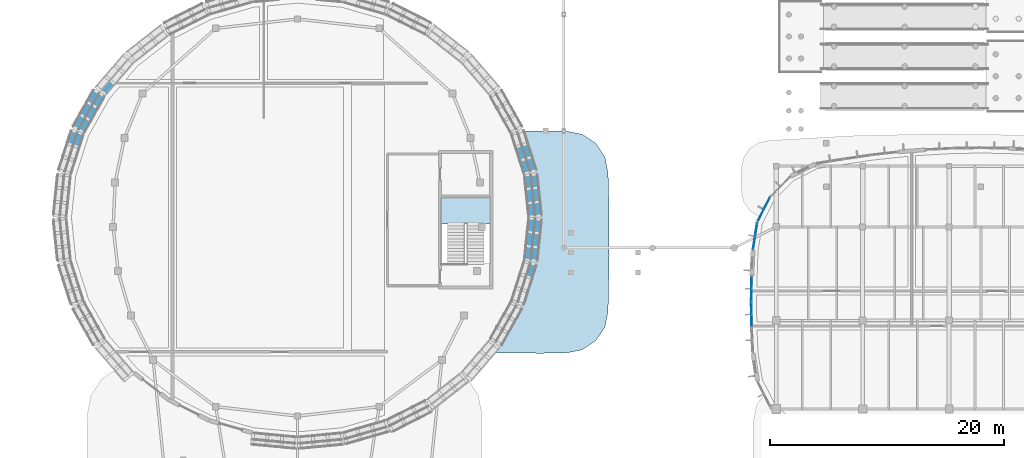
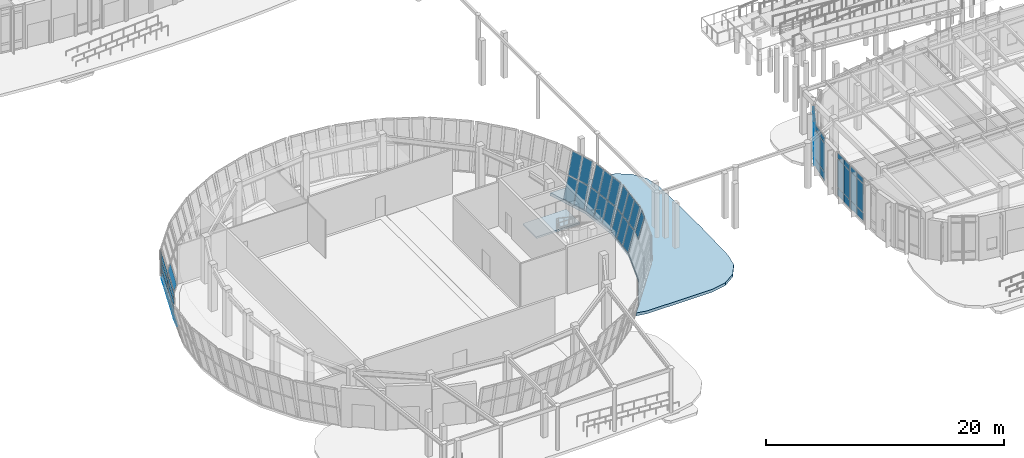
# One storey, part 68 of 120: 50 plates, 2 slabs, 12 elements without a shape of their own.
"""IFC4 building model written with IfcOpenShell, lengths in metres."""

import ifcopenshell
import ifcopenshell.guid

model = None  # the IFC model being written
_history = None  # IfcOwnerHistory: only IFC2X3 demands one
_inside = {}  # id of a spatial element -> (the spatial element, [elements in it])
_under = {}  # id of a project, library or spatial element -> (it, [spatial elements below it])
_declared = {}  # id of a project -> (the project, [libraries it declares])
_typed = {}  # id of a type object -> (the type object, [elements of that type])
_made_of = {}  # id of a material, layer set ... -> (it, [elements and type objects made of it])


def new_model(schema):
    """Start an empty IFC model of exactly this schema.

    Asked for "IFC4X3", IfcOpenShell would pick the latest addendum, in which some entities
    have other attributes; the version numbers below select the first issue.
    IFC2X3 requires an IfcOwnerHistory on every rooted entity: one is made here for all.
    """
    global model, _history
    if schema == "IFC4X3":
        model = ifcopenshell.file(schema_version=(4, 3, 0, 0))
    else:
        model = ifcopenshell.file(schema=schema)
    _inside.clear()
    _under.clear()
    _declared.clear()
    _typed.clear()
    _made_of.clear()
    _history = None
    if model.schema == "IFC2X3":
        org = make("IfcOrganization", Name="unknown")
        user = make(
            "IfcPersonAndOrganization",
            ThePerson=make("IfcPerson", FamilyName="unknown"),
            TheOrganization=org,
        )
        app = make(
            "IfcApplication",
            ApplicationDeveloper=org,
            Version="unknown",
            ApplicationFullName="unknown",
            ApplicationIdentifier="unknown",
        )
        _history = make(
            "IfcOwnerHistory",
            OwningUser=user,
            OwningApplication=app,
            ChangeAction="ADDED",
            CreationDate=0,
        )
    return model


def make(cls, **values):
    """One entity of the class cls with the attributes given. An attribute that is None is left unset."""
    return model.create_entity(
        cls, **{name: value for name, value in values.items() if value is not None}
    )


def rooted(cls, **values):
    """An entity with a GlobalId (a new one), such as an element, a storey or a relation."""
    return make(cls, GlobalId=ifcopenshell.guid.new(), OwnerHistory=_history, **values)


def si_unit(unit_type, name, prefix=None):
    """IfcSIUnit, for example si_unit("LENGTHUNIT", "METRE", prefix="MILLI")."""
    return make("IfcSIUnit", UnitType=unit_type, Prefix=prefix, Name=name)


def assignment(units):
    """IfcUnitAssignment: the units of a project."""
    return None if units is None else make("IfcUnitAssignment", Units=units)


def point(xyz):
    """IfcCartesianPoint."""
    return None if xyz is None else make("IfcCartesianPoint", Coordinates=xyz)


def direction(xyz):
    """IfcDirection."""
    return None if xyz is None else make("IfcDirection", DirectionRatios=xyz)


def frame(location, z_axis=None, x_axis=None):
    """IfcAxis2Placement3D, a coordinate frame: its origin and axes. An axis left out is left unset."""
    return make(
        "IfcAxis2Placement3D",
        Location=point(location),
        Axis=direction(z_axis),
        RefDirection=direction(x_axis),
    )


def frame_2d(location, x_axis=None):
    """IfcAxis2Placement2D, a coordinate frame in the plane: its origin and x axis."""
    return make(
        "IfcAxis2Placement2D", Location=point(location), RefDirection=direction(x_axis)
    )


def origin():
    """The frame at (0, 0, 0) with its axes left unset."""
    return frame((0.0, 0.0, 0.0))


def origin_2d():
    """The frame at (0, 0) in the plane with its x axis left unset."""
    return frame_2d((0.0, 0.0))


def place(relative_to, where):
    """IfcLocalPlacement: puts the frame where relative to a parent placement (None: the world)."""
    return make(
        "IfcLocalPlacement", PlacementRelTo=relative_to, RelativePlacement=where
    )


def context(
    kind, dimensions, precision=None, world=None, true_north=None, identifier=None
):
    """IfcGeometricRepresentationContext, for example the 3D "Model" context."""
    return make(
        "IfcGeometricRepresentationContext",
        ContextIdentifier=identifier,
        ContextType=kind,
        CoordinateSpaceDimension=dimensions,
        Precision=precision,
        WorldCoordinateSystem=world,
        TrueNorth=true_north,
    )


def subcontext(parent, identifier, kind, view, scale=None):
    """IfcGeometricRepresentationSubContext, for example "Body" below "Model"."""
    return make(
        "IfcGeometricRepresentationSubContext",
        ContextIdentifier=identifier,
        ContextType=kind,
        ParentContext=parent,
        TargetScale=scale,
        TargetView=view,
    )


def project(units=None, contexts=None):
    """IfcProject with its units and contexts."""
    return rooted(
        "IfcProject",
        Name="project",
        RepresentationContexts=contexts,
        UnitsInContext=assignment(units),
    )


def spatial(cls, under=None, at=None, **own):
    """A site, building, storey or space (cls), placed at a placement, below another one or the project."""
    s = rooted(cls, ObjectPlacement=at, **own)
    if under is not None:
        _under.setdefault(under.id(), (under, []))[1].append(s)
    return s


def polyline(points):
    """IfcPolyline through the points."""
    return make("IfcPolyline", Points=[point(p) for p in points])


def profile(cls, at=None, kind="AREA", **sizes):
    """A parametric profile (cls). Its sizes go by their IFC names, for example OverallWidth=200.0."""
    return make(cls, ProfileType=kind, Position=at, **sizes)


def rectangle(**sizes):
    """IfcRectangleProfileDef."""
    return profile("IfcRectangleProfileDef", **sizes)


def outline(outer, holes=None, kind="AREA"):
    """IfcArbitraryClosedProfileDef: a profile drawn as a closed curve; with holes, ...WithVoids."""
    if holes is None:
        return make("IfcArbitraryClosedProfileDef", ProfileType=kind, OuterCurve=outer)
    return make(
        "IfcArbitraryProfileDefWithVoids",
        ProfileType=kind,
        OuterCurve=outer,
        InnerCurves=holes,
    )


def extrude(swept, where, along, depth):
    """IfcExtrudedAreaSolid: the profile swept, set in the frame where, extruded along a direction by depth."""
    return make(
        "IfcExtrudedAreaSolid",
        SweptArea=swept,
        Position=where,
        ExtrudedDirection=direction(along),
        Depth=depth,
    )


def shape(context_of_items, identifier, shape_type, items):
    """IfcShapeRepresentation: the items that make up one representation, for example the "Body"."""
    return make(
        "IfcShapeRepresentation",
        ContextOfItems=context_of_items,
        RepresentationIdentifier=identifier,
        RepresentationType=shape_type,
        Items=items,
    )


def material(Name=None, Category=None):
    """IfcMaterial."""
    return make("IfcMaterial", Name=Name, Category=Category)


def layer(
    of_material, thickness, ventilated=None, Name=None, Category=None, Priority=None
):
    """IfcMaterialLayer: one layer of a wall or slab, of a material (None: an air gap)."""
    return make(
        "IfcMaterialLayer",
        Material=of_material,
        LayerThickness=thickness,
        IsVentilated=ventilated,
        Name=Name,
        Category=Category,
        Priority=Priority,
    )


def layer_set(layers, Name=None):
    """IfcMaterialLayerSet."""
    return make("IfcMaterialLayerSet", MaterialLayers=layers, LayerSetName=Name)


def made_of(thing, what):
    """Note that an element or type object is made of a material, layer set ...; save() writes the relation."""
    if what is not None:
        _made_of.setdefault(what.id(), (what, []))[1].append(thing)
    return thing


def type_object(cls, material=None, **own):
    """A type object (cls), such as IfcWallType, which elements share."""
    return made_of(rooted(cls, **own), material)


def element(
    cls,
    number,
    at=None,
    inside=None,
    cuts=None,
    type_object=None,
    material=None,
    context=None,
    identifier="Body",
    shape_type=None,
    held_by="IfcProductDefinitionShape",
    body=None,
    shapes=None,
    **own,
):
    """One element of the class cls, such as IfcWall. Its Tag is "e" and its number.

    at: its placement. inside: the storey or other place that contains it. cuts: it is an
    opening in that element (IfcRelVoidsElement). A single representation is given by context,
    identifier, shape_type and body (its items); several are given by shapes. held_by: the class
    of the entity that holds the representations. save() writes the other relations.
    """
    e = rooted(cls, Tag="e%d" % number, ObjectPlacement=at, **own)
    if body is not None:
        shapes = [shape(context, identifier, shape_type, body)]
    if shapes is not None:
        e.Representation = make(held_by, Representations=shapes)
    if inside is not None:
        _inside.setdefault(inside.id(), (inside, []))[1].append(e)
    if cuts is not None:
        rooted(
            "IfcRelVoidsElement", RelatingBuildingElement=cuts, RelatedOpeningElement=e
        )
    if type_object is not None:
        _typed.setdefault(type_object.id(), (type_object, []))[1].append(e)
    return made_of(e, material)


def aggregate(whole, parts):
    """IfcRelAggregates: a whole, such as a stair, and the parts it consists of."""
    return rooted("IfcRelAggregates", RelatingObject=whole, RelatedObjects=parts)


def save(model, path):
    """Write the relations noted so far, then the file.

    IfcRelAggregates (storeys below a building ...), IfcRelContainedInSpatialStructure (elements
    in a storey), IfcRelDefinesByType, IfcRelAssociatesMaterial and IfcRelDeclares: one each for
    every whole, place, type object, material and project.
    """
    for whole, parts in _under.values():
        aggregate(whole, parts)
    for where, things in _inside.values():
        rooted(
            "IfcRelContainedInSpatialStructure",
            RelatedElements=things,
            RelatingStructure=where,
        )
    for kind, things in _typed.values():
        rooted("IfcRelDefinesByType", RelatedObjects=things, RelatingType=kind)
    for what, things in _made_of.values():
        rooted("IfcRelAssociatesMaterial", RelatedObjects=things, RelatingMaterial=what)
    for by, libraries in _declared.values():
        rooted("IfcRelDeclares", RelatingContext=by, RelatedDefinitions=libraries)
    model.write(path)


model = new_model("IFC4")

# Units and contexts
model_context = context("Model", 3, precision=1e-05, world=origin(), true_north=direction((0.0, 1.0)))
body_context = subcontext(model_context, "Body", "Model", "MODEL_VIEW")
ifc_project = project(units=[si_unit("LENGTHUNIT", "METRE"), si_unit("AREAUNIT", "SQUARE_METRE"), si_unit("VOLUMEUNIT", "CUBIC_METRE"), si_unit("PLANEANGLEUNIT", "RADIAN"), si_unit("MASSUNIT", "GRAM", prefix="KILO")], contexts=[model_context])

# Site, building, storey
site_placement = place(None, origin())
site = spatial("IfcSite", under=ifc_project, at=site_placement, CompositionType="ELEMENT")
building_placement = place(site_placement, origin())
building = spatial("IfcBuilding", under=site, at=building_placement, Name="Corveleigh Park Community Centre", CompositionType="ELEMENT")
storey_placement = place(building_placement, origin())
storey = spatial("IfcBuildingStorey", under=building, at=storey_placement, Name="L00", CompositionType="ELEMENT", Elevation=0.0)

# Curtain wall, plates
ifc_material_1 = material(Name="Anodised aluminium 6063-T6", Category="aluminium")
curtain_wall_type_1 = type_object("IfcCurtainWallType", Name="CW-SYS-V1-L00", PredefinedType="NOTDEFINED", material=ifc_material_1)
curtain_wall_1_placement = place(storey_placement, origin())
curtain_wall_1 = element("IfcCurtainWall", 1, at=curtain_wall_1_placement, inside=storey, type_object=curtain_wall_type_1, Name="Main Hall Flared Drum CW 1", PredefinedType="NOTDEFINED")
ifc_material_2 = material(Name="Low-E double glazing", Category="glass")
ifc_layer_1 = layer(ifc_material_2, 0.028076171875, Name="Low-E double glazing", Category="glass")
ifc_layer_set_1 = layer_set([ifc_layer_1], Name="Low-E double glazing")
plate_type_1 = type_object("IfcPlateType", Name="CWP-GLZ-28", PredefinedType="CURTAIN_PANEL", material=ifc_layer_set_1)
plate_1_placement = place(storey_placement, frame((50.807373046875, 27.70849609375, 0.074951171875), z_axis=(-0.965147534385, -0.099880284773, 0.241897014417), x_axis=(-0.102937324698, 0.994687844092, 0.0)))
plate_1 = element("IfcPlate", 2, at=plate_1_placement, type_object=plate_type_1, Name="CW01 panel 1.1", PredefinedType="CURTAIN_PANEL", context=body_context, shape_type="SweptSolid", body=[
    extrude(outline(polyline([(0.0, 0.0), (1.0910006436399386, 0.0), (1.0910806809938163, -2.202872226533213), (8.003735387782096e-05, -2.202872226533213), (0.0, 0.0)])), origin(), (0.0, 0.0, -1.0), 0.028076171875),
])
plate_2_placement = place(storey_placement, frame((51.356201171875, 27.765380859375, 2.28759765625), z_axis=(-0.965152076883, -0.099880754863, 0.241878695415), x_axis=(-0.102937324698, 0.994687844092, 0.0)))
plate_2 = element("IfcPlate", 3, at=plate_2_placement, type_object=plate_type_1, Name="CW01 panel 1.2", PredefinedType="CURTAIN_PANEL", context=body_context, shape_type="SweptSolid", body=[
    extrude(outline(polyline([(0.0, 0.0), (1.0910006436399386, 0.0), (1.091021950512302, -2.2151908399687263), (2.1306872363381635e-05, -2.2151908399687263), (0.0, 0.0)])), origin(), (0.0, 0.0, -1.0), 0.028076171875),
])
plate_3_placement = place(storey_placement, frame((50.686767578125, 28.873291015625, 0.074951171875), z_axis=(-0.965121412, -0.099894306938, 0.241995428758), x_axis=(-0.102953732741, 0.994686145931, 2.608541e-06)))
plate_3 = element("IfcPlate", 4, at=plate_3_placement, type_object=plate_type_1, Name="CW01 panel 2.1", PredefinedType="CURTAIN_PANEL", context=body_context, shape_type="SweptSolid", body=[
    extrude(outline(polyline([(0.0, 0.0), (1.1312542424598007, 3.469446951953614e-18), (1.1310630869313334, -2.202924900362015), (5.168776887919163e-05, -2.202930982348133), (0.0, 0.0)])), origin(), (0.0, 0.0, -1.0), 0.028076171875),
])
plate_4_placement = place(storey_placement, frame((51.235595703125, 28.93017578125, 2.28759765625), z_axis=(-0.96514925401, -0.099908028247, 0.24187869558), x_axis=(-0.102965432712, 0.994684934875, 0.0)))
plate_4 = element("IfcPlate", 5, at=plate_4_placement, type_object=plate_type_1, Name="CW01 panel 2.2", PredefinedType="CURTAIN_PANEL", context=body_context, shape_type="SweptSolid", body=[
    extrude(outline(polyline([(0.0, 0.0), (1.1310113992445434, 0.0), (1.131017565180133, -2.2151908400626152), (6.165935589490798e-06, -2.2151908400626152), (0.0, 0.0)])), origin(), (0.0, 0.0, -1.0), 0.028076171875),
])
plate_5_placement = place(storey_placement, frame((50.562255859375, 30.078125, 0.074951171875), z_axis=(-0.96515001624, -0.09986930772, 0.241891644185), x_axis=(-0.102926539909, 0.994688960115, -2.70295e-06)))
plate_5 = element("IfcPlate", 6, at=plate_5_placement, type_object=plate_type_1, Name="CW01 panel 3.1", PredefinedType="CURTAIN_PANEL", context=body_context, shape_type="SweptSolid", body=[
    extrude(outline(polyline([(0.0, 0.0), (1.0910006435718256, -6.938893903907228e-18), (1.091080681061934, -2.2028722264994736), (-0.0001628064942945682, -2.2028661474763482), (0.0, 0.0)])), origin(), (0.0, 0.0, -1.0), 0.028076171875),
])
plate_6_placement = place(storey_placement, frame((51.11083984375, 30.134765625, 2.28759765625), z_axis=(-0.965128779744, -0.099855879146, 0.241981904095), x_axis=(-0.102914417151, 0.99469021446, 0.0)))
plate_6 = element("IfcPlate", 7, at=plate_6_placement, type_object=plate_type_1, Name="CW01 panel 3.2", PredefinedType="CURTAIN_PANEL", context=body_context, shape_type="SweptSolid", body=[
    extrude(outline(polyline([(0.0, 0.0), (1.091243487641259, 3.469446951953614e-18), (1.091252008493562, -2.2152495912078316), (8.52085230314992e-06, -2.2152495912078316), (0.0, 0.0)])), origin(), (0.0, 0.0, -1.0), 0.028076171875),
])
aggregate(curtain_wall_1, [plate_1, plate_2, plate_3, plate_4, plate_5, plate_6])

curtain_wall_2_placement = place(storey_placement, origin())
curtain_wall_2 = element("IfcCurtainWall", 8, at=curtain_wall_2_placement, inside=storey, type_object=curtain_wall_type_1, Name="Main Hall Flared Drum CW 2", PredefinedType="NOTDEFINED")
plate_7_placement = place(storey_placement, frame((50.405517578125, 31.3759765625, 0.074951171875), z_axis=(-0.9242321555, -0.295434433899, 0.241895469173), x_axis=(-0.3044785768, 0.952519184167, -7.959586e-06)))
plate_7 = element("IfcPlate", 9, at=plate_7_placement, type_object=plate_type_1, Name="CW01 panel 1.1", PredefinedType="CURTAIN_PANEL", context=body_context, shape_type="SweptSolid", body=[
    extrude(outline(polyline([(0.0, 0.0), (1.09599468896104, 0.0), (1.0960788222939768, -2.2028803433789186), (-0.0001484152960102378, -2.202862360140468), (0.0, 0.0)])), origin(), (0.0, 0.0, -1.0), 0.028076171875),
])
plate_8_placement = place(storey_placement, frame((50.930908203125, 31.5439453125, 2.28759765625), z_axis=(-0.924221498211, -0.295431027255, 0.241940344671), x_axis=(-0.304478577502, 0.952519183943, -7.96097e-06)))
plate_8 = element("IfcPlate", 10, at=plate_8_placement, type_object=plate_type_1, Name="CW01 panel 1.2", PredefinedType="CURTAIN_PANEL", context=body_context, shape_type="SweptSolid", body=[
    extrude(outline(polyline([(0.0, 0.0), (1.0959946889610537, 0.0), (1.096116891138423, -2.2152349234612396), (-0.00011034645152312231, -2.2152169368866095), (0.0, 0.0)])), origin(), (0.0, 0.0, -1.0), 0.028076171875),
])
plate_9_placement = place(storey_placement, frame((50.04736328125, 32.49609375, 0.074951171875), z_axis=(-0.924224052643, -0.295459781747, 0.241895468923), x_axis=(-0.304500987016, 0.952512020316, 7.678442e-06)))
plate_9 = element("IfcPlate", 11, at=plate_9_placement, type_object=plate_type_1, Name="CW01 panel 2.1", PredefinedType="CURTAIN_PANEL", context=body_context, shape_type="SweptSolid", body=[
    extrude(outline(polyline([(0.0, 0.0), (1.1362216027012917, 0.0), (1.1360940768821328, -2.2028623614487755), (0.0001050210608015782, -2.202880342482086), (0.0, 0.0)])), origin(), (0.0, 0.0, -1.0), 0.028076171875),
])
plate_10_placement = place(storey_placement, frame((50.57275390625, 32.6640625, 2.28759765625), z_axis=(-0.924213395342, -0.295456374777, 0.241940344866), x_axis=(-0.30450098634, 0.952512020533, 7.679778e-06)))
plate_10 = element("IfcPlate", 12, at=plate_10_placement, type_object=plate_type_1, Name="CW01 panel 2.2", PredefinedType="CURTAIN_PANEL", context=body_context, shape_type="SweptSolid", body=[
    extrude(outline(polyline([(0.0, 0.0), (1.1362216027013048, -1.3877787807814457e-17), (1.136132266775089, -2.2152169378335165), (0.00014321095379721277, -2.215234922202631), (0.0, 0.0)])), origin(), (0.0, 0.0, -1.0), 0.028076171875),
])
aggregate(curtain_wall_2, [plate_7, plate_8, plate_9, plate_10])

# Curtain wall, plate
curtain_wall_3_placement = place(storey_placement, origin())
curtain_wall_3 = element("IfcCurtainWall", 13, at=curtain_wall_3_placement, inside=storey, type_object=curtain_wall_type_1, Name="Main Hall Flared Drum CW 13", PredefinedType="NOTDEFINED")
plate_11_placement = place(storey_placement, frame((15.322998046875, 38.9833984375, 0.074951171875), z_axis=(0.734100043331, -0.634482020993, 0.241929104115), x_axis=(-0.653900207436, -0.756580806925, -3.6162699e-05)))
plate_11 = element("IfcPlate", 14, at=plate_11_placement, type_object=plate_type_1, Name="CW01 panel 3.1", PredefinedType="CURTAIN_PANEL", context=body_context, shape_type="SweptSolid", body=[
    extrude(outline(polyline([(0.0, 0.0), (1.1176560634874142, 0.0), (1.1175411088889406, -2.2029320424043686), (-8.988609273893941e-05, -2.20284873361391), (0.0, 0.0)])), origin(), (0.0, 0.0, -1.0), 0.028076171875),
])
aggregate(curtain_wall_3, [plate_11])

# Curtain wall, plates
curtain_wall_4_placement = place(storey_placement, origin())
curtain_wall_4 = element("IfcCurtainWall", 15, at=curtain_wall_4_placement, inside=storey, type_object=curtain_wall_type_1, Name="Main Hall Flared Drum CW 14", PredefinedType="NOTDEFINED")
plate_12_placement = place(storey_placement, frame((14.468505859375, 37.96142578125, 0.074951171875), z_axis=(0.845588652171, -0.475864519518, 0.241935508726), x_axis=(-0.490441843629, -0.871473922027, 3.5291821e-05)))
plate_12 = element("IfcPlate", 16, at=plate_12_placement, type_object=plate_type_1, Name="CW01 panel 1.1", PredefinedType="CURTAIN_PANEL", context=body_context, shape_type="SweptSolid", body=[
    extrude(outline(polyline([(0.0, 0.0), (1.10582747724177, -1.3877787807814457e-17), (1.1059867228250746, -2.202853789957711), (6.62201735395708e-05, -2.2029342364498605), (0.0, 0.0)])), origin(), (0.0, 0.0, -1.0), 0.028076171875),
])
plate_13_placement = place(storey_placement, frame((13.98779296875, 38.23193359375, 2.28759765625), z_axis=(0.845514383224, -0.475990108823, 0.241948019345), x_axis=(-0.490565186833, -0.871404497043, 0.0)))
plate_13 = element("IfcPlate", 17, at=plate_13_placement, type_object=plate_type_1, Name="CW01 panel 1.2", PredefinedType="CURTAIN_PANEL", context=body_context, shape_type="SweptSolid", body=[
    extrude(outline(polyline([(0.0, 0.0), (1.1058274890071589, 1.3877787807814457e-17), (1.105814930192723, -2.21523029913387), (-1.255881443598672e-05, -2.21523029913387), (0.0, 0.0)])), origin(), (0.0, 0.0, -1.0), 0.028076171875),
])
plate_14_placement = place(storey_placement, frame((13.88671875, 36.927978515625, 0.074951171875), z_axis=(0.845542253451, -0.47594695968, 0.241935506285), x_axis=(-0.49051706919, -0.871431583512, -9.526105e-06)))
plate_14 = element("IfcPlate", 18, at=plate_14_placement, type_object=plate_type_1, Name="CW01 panel 2.1", PredefinedType="CURTAIN_PANEL", context=body_context, shape_type="SweptSolid", body=[
    extrude(outline(polyline([(0.0, 0.0), (1.1458314135351817, -2.7755575615628914e-17), (1.1460606096431667, -2.2029052663285804), (-0.00010331088730366698, -2.202882764049645), (0.0, 0.0)])), origin(), (0.0, 0.0, -1.0), 0.028076171875),
])
plate_15_placement = place(storey_placement, frame((13.406005859375, 37.198486328125, 2.28759765625), z_axis=(0.845558848019, -0.475911116905, 0.241948017852), x_axis=(-0.490483775951, -0.871450323041, 0.0)))
plate_15 = element("IfcPlate", 19, at=plate_15_placement, type_object=plate_type_1, Name="CW01 panel 2.2", PredefinedType="CURTAIN_PANEL", context=body_context, shape_type="SweptSolid", body=[
    extrude(outline(polyline([(0.0, 0.0), (1.1458314144234052, -1.3877787807814457e-17), (1.1457687839252304, -2.2152302982841046), (-6.26304981747039e-05, -2.2152302982841046), (0.0, 0.0)])), origin(), (0.0, 0.0, -1.0), 0.028076171875),
])
plate_16_placement = place(storey_placement, frame((13.285400390625, 35.859619140625, 0.074951171875), z_axis=(0.845552752123, -0.475951416141, 0.241890042892), x_axis=(-0.490520762657, -0.871429504459, 1.2708763e-05)))
plate_16 = element("IfcPlate", 20, at=plate_16_placement, type_object=plate_type_1, Name="CW01 panel 3.1", PredefinedType="CURTAIN_PANEL", context=body_context, shape_type="SweptSolid", body=[
    extrude(outline(polyline([(0.0, 0.0), (1.1058274874809009, -1.3877787807814457e-17), (1.1059867125844691, -2.2028537950992115), (-5.352624029371165e-05, -2.202882765517729), (0.0, 0.0)])), origin(), (0.0, 0.0, -1.0), 0.028076171875),
])
plate_17_placement = place(storey_placement, frame((12.8046875, 36.130126953125, 2.28759765625), z_axis=(0.845514383224, -0.475990108823, 0.241948019345), x_axis=(-0.490565186833, -0.871404497043, 0.0)))
plate_17 = element("IfcPlate", 21, at=plate_17_placement, type_object=plate_type_1, Name="CW01 panel 3.2", PredefinedType="CURTAIN_PANEL", context=body_context, shape_type="SweptSolid", body=[
    extrude(outline(polyline([(0.0, 0.0), (1.1058274890071589, 1.3877787807814457e-17), (1.105814930192723, -2.21523029913387), (-1.255881443598672e-05, -2.21523029913387), (0.0, 0.0)])), origin(), (0.0, 0.0, -1.0), 0.028076171875),
])
aggregate(curtain_wall_4, [plate_12, plate_13, plate_14, plate_15, plate_16, plate_17])

curtain_wall_5_placement = place(storey_placement, origin())
curtain_wall_5 = element("IfcCurtainWall", 22, at=curtain_wall_5_placement, inside=storey, type_object=curtain_wall_type_1, Name="Main Hall Flared Drum CW 15", PredefinedType="NOTDEFINED")
plate_18_placement = place(storey_placement, frame((12.65673828125, 34.698486328125, 0.074951171875), z_axis=(0.9242321555, -0.295434433899, 0.241895469173), x_axis=(-0.3044785768, -0.952519184167, 7.959586e-06)))
plate_18 = element("IfcPlate", 23, at=plate_18_placement, type_object=plate_type_1, Name="CW01 panel 1.1", PredefinedType="CURTAIN_PANEL", context=body_context, shape_type="SweptSolid", body=[
    extrude(outline(polyline([(0.0, 0.0), (1.09599468896104, 0.0), (1.0961431042570502, -2.202862360140468), (-8.413333293679463e-05, -2.2028803433789186), (0.0, 0.0)])), origin(), (0.0, 0.0, -1.0), 0.028076171875),
])
plate_19_placement = place(storey_placement, frame((12.13134765625, 34.866455078125, 2.28759765625), z_axis=(0.924221498211, -0.295431027255, 0.241940344671), x_axis=(-0.304478577502, -0.952519183943, 7.96097e-06)))
plate_19 = element("IfcPlate", 24, at=plate_19_placement, type_object=plate_type_1, Name="CW01 panel 1.2", PredefinedType="CURTAIN_PANEL", context=body_context, shape_type="SweptSolid", body=[
    extrude(outline(polyline([(0.0, 0.0), (1.0959946889610537, 0.0), (1.096105035412577, -2.2152169368866095), (-0.00012220217736917614, -2.2152349234612396), (0.0, 0.0)])), origin(), (0.0, 0.0, -1.0), 0.028076171875),
])
aggregate(curtain_wall_5, [plate_18, plate_19])

# Curtain wall, plate
curtain_wall_6_placement = place(storey_placement, origin())
curtain_wall_6 = element("IfcCurtainWall", 25, at=curtain_wall_6_placement, inside=storey, type_object=curtain_wall_type_1, Name="Main Hall Flared Drum CW 28", PredefinedType="NOTDEFINED")
plate_20_placement = place(storey_placement, frame((50.59716796875, 22.612060546875, 2.28759765625), z_axis=(-0.92421523089, 0.295463568902, 0.241924547003), x_axis=(0.304508988552, 0.952509462363, 0.0)))
plate_20 = element("IfcPlate", 26, at=plate_20_placement, type_object=plate_type_1, Name="CW01 panel 3.2", PredefinedType="CURTAIN_PANEL", context=body_context, shape_type="SweptSolid", body=[
    extrude(outline(polyline([(0.0, 0.0), (1.0959946895543804, -1.3877787807814457e-17), (1.0961050348191905, -2.2152169371802213), (0.00011034526481001894, -2.2152169371802213), (0.0, 0.0)])), origin(), (0.0, 0.0, -1.0), 0.028076171875),
])
aggregate(curtain_wall_6, [plate_20])

# Curtain wall, plates
curtain_wall_7_placement = place(storey_placement, origin())
curtain_wall_7 = element("IfcCurtainWall", 27, at=curtain_wall_7_placement, inside=storey, type_object=curtain_wall_type_1, Name="Main Hall Flared Drum CW 29", PredefinedType="NOTDEFINED")
plate_21_placement = place(storey_placement, frame((50.449951171875, 24.03662109375, 0.074951171875), z_axis=(-0.965149834568, 0.099858057558, 0.241897013569), x_axis=(0.102914417151, 0.99469021446, 0.0)))
plate_21 = element("IfcPlate", 28, at=plate_21_placement, type_object=plate_type_1, Name="CW01 panel 1.1", PredefinedType="CURTAIN_PANEL", context=body_context, shape_type="SweptSolid", body=[
    extrude(outline(polyline([(0.0, 0.0), (1.091243487641259, 0.0), (1.0911511784079746, -2.202872226053154), (-9.230923328408548e-05, -2.202872226053154), (0.0, 0.0)])), origin(), (0.0, 0.0, -1.0), 0.028076171875),
])
plate_22_placement = place(storey_placement, frame((50.99853515625, 23.97998046875, 2.28759765625), z_axis=(-0.965126479816, 0.099878105898, 0.241981904118), x_axis=(0.102937324698, 0.994687844092, 0.0)))
plate_22 = element("IfcPlate", 29, at=plate_22_placement, type_object=plate_type_1, Name="CW01 panel 1.2", PredefinedType="CURTAIN_PANEL", context=body_context, shape_type="SweptSolid", body=[
    extrude(outline(polyline([(0.0, 0.0), (1.0910006436399386, 0.0), (1.0910044679503628, -2.215249591220917), (3.824310424199728e-06, -2.215249591220917), (0.0, 0.0)])), origin(), (0.0, 0.0, -1.0), 0.028076171875),
])
plate_23_placement = place(storey_placement, frame((50.5703125, 25.201416015625, 0.074951171875), z_axis=(-0.965121412, 0.099894306938, 0.241995428758), x_axis=(0.102953732741, 0.994686145931, -2.608541e-06)))
plate_23 = element("IfcPlate", 30, at=plate_23_placement, type_object=plate_type_1, Name="CW01 panel 2.1", PredefinedType="CURTAIN_PANEL", context=body_context, shape_type="SweptSolid", body=[
    extrude(outline(polyline([(0.0, 0.0), (1.1312542424598007, -3.469446951953614e-18), (1.1312025546909217, -2.202930982348133), (0.0001911555284673442, -2.202924900362015), (0.0, 0.0)])), origin(), (0.0, 0.0, -1.0), 0.028076171875),
])
plate_24_placement = place(storey_placement, frame((51.119140625, 25.144775390625, 2.28759765625), z_axis=(-0.96514925401, 0.099908028247, 0.24187869558), x_axis=(0.102965432712, 0.994684934875, 0.0)))
plate_24 = element("IfcPlate", 31, at=plate_24_placement, type_object=plate_type_1, Name="CW01 panel 2.2", PredefinedType="CURTAIN_PANEL", context=body_context, shape_type="SweptSolid", body=[
    extrude(outline(polyline([(0.0, 0.0), (1.1310113992445434, 0.0), (1.131005233308954, -2.2151908400626152), (-6.165935589490798e-06, -2.2151908400626152), (0.0, 0.0)])), origin(), (0.0, 0.0, -1.0), 0.028076171875),
])
plate_25_placement = place(storey_placement, frame((50.695068359375, 26.40625, 0.074951171875), z_axis=(-0.965147534385, 0.099880284773, 0.241897014417), x_axis=(0.102937324698, 0.994687844092, 0.0)))
plate_25 = element("IfcPlate", 32, at=plate_25_placement, type_object=plate_type_1, Name="CW01 panel 3.1", PredefinedType="CURTAIN_PANEL", context=body_context, shape_type="SweptSolid", body=[
    extrude(outline(polyline([(0.0, 0.0), (1.0910006436399386, 0.0), (1.0909206062860608, -2.202872226533213), (-8.003735387782096e-05, -2.202872226533213), (0.0, 0.0)])), origin(), (0.0, 0.0, -1.0), 0.028076171875),
])
plate_26_placement = place(storey_placement, frame((51.243896484375, 26.349365234375, 2.28759765625), z_axis=(-0.965154376934, 0.099858527528, 0.241878695146), x_axis=(0.102914417151, 0.99469021446, 0.0)))
plate_26 = element("IfcPlate", 33, at=plate_26_placement, type_object=plate_type_1, Name="CW01 panel 3.2", PredefinedType="CURTAIN_PANEL", context=body_context, shape_type="SweptSolid", body=[
    extrude(outline(polyline([(0.0, 0.0), (1.091243487641259, 0.0), (1.0912098411988311, -2.215190839815669), (-3.364644242780823e-05, -2.215190839815669), (0.0, 0.0)])), origin(), (0.0, 0.0, -1.0), 0.028076171875),
])
aggregate(curtain_wall_7, [plate_21, plate_22, plate_23, plate_24, plate_25, plate_26])

curtain_wall_type_2 = type_object("IfcCurtainWallType", Name="CW-SYS-V3-L00", PredefinedType="NOTDEFINED", material=ifc_material_1)
curtain_wall_8_placement = place(storey_placement, origin())
curtain_wall_8 = element("IfcCurtainWall", 34, at=curtain_wall_8_placement, inside=storey, type_object=curtain_wall_type_2, Name="V3 L00 Curtain Wall 101", PredefinedType="NOTDEFINED")
ifc_layer_2 = layer(ifc_material_2, 0.031982421875, Name="Low-E double glazing", Category="glass")
ifc_layer_set_2 = layer_set([ifc_layer_2], Name="Low-E double glazing")
plate_type_2 = type_object("IfcPlateType", Name="CWP-GLZ-32", PredefinedType="CURTAIN_PANEL", material=ifc_layer_set_2)
plate_27_placement = place(storey_placement, frame((70.676513671875, 27.78857421875, 0.06005859375), z_axis=(0.0, 0.0, 1.0), x_axis=(0.45413480079, 0.890932984411, 0.0)))
plate_27 = element("IfcPlate", 35, at=plate_27_placement, type_object=plate_type_2, Name="CW05 panel 1.1", PredefinedType="CURTAIN_PANEL", context=body_context, shape_type="SweptSolid", body=[
    extrude(rectangle(XDim=1.0625, YDim=0.031982421875, at=origin_2d()), origin(), (0.0, 0.0, 1.0), 0.81005859375),
])
plate_28_placement = place(storey_placement, frame((70.676513671875, 27.78857421875, 0.93017578125), z_axis=(0.0, 0.0, 1.0), x_axis=(0.45413480079, 0.890932984411, 0.0)))
plate_28 = element("IfcPlate", 36, at=plate_28_placement, type_object=plate_type_2, Name="CW05 panel 1.2", PredefinedType="CURTAIN_PANEL", context=body_context, shape_type="SweptSolid", body=[
    extrude(rectangle(XDim=1.0625, YDim=0.031982421875, at=origin_2d()), origin(), (0.0, 0.0, 1.0), 2.927001953125),
])
plate_29_placement = place(storey_placement, frame((70.676513671875, 27.78857421875, 3.9169921875), z_axis=(0.0, 0.0, 1.0), x_axis=(0.45413480079, 0.890932984411, 0.0)))
plate_29 = element("IfcPlate", 37, at=plate_29_placement, type_object=plate_type_2, Name="CW05 panel 1.3", PredefinedType="CURTAIN_PANEL", context=body_context, shape_type="SweptSolid", body=[
    extrude(rectangle(XDim=1.0625, YDim=0.031982421875, at=origin_2d()), origin(), (0.0, 0.0, 1.0), 0.56005859375),
])
plate_30_placement = place(storey_placement, frame((71.1953125, 28.806396484375, 0.06005859375), z_axis=(0.0, 0.0, 1.0), x_axis=(0.45413480079, 0.890932984411, 0.0)))
plate_30 = element("IfcPlate", 38, at=plate_30_placement, type_object=plate_type_2, Name="CW05 panel 2.1", PredefinedType="CURTAIN_PANEL", context=body_context, shape_type="SweptSolid", body=[
    extrude(rectangle(XDim=1.0625, YDim=0.031982421875, at=origin_2d()), origin(), (0.0, 0.0, 1.0), 0.81005859375),
])
plate_31_placement = place(storey_placement, frame((71.1953125, 28.806396484375, 0.93017578125), z_axis=(0.0, 0.0, 1.0), x_axis=(0.45413480079, 0.890932984411, 0.0)))
plate_31 = element("IfcPlate", 39, at=plate_31_placement, type_object=plate_type_2, Name="CW05 panel 2.2", PredefinedType="CURTAIN_PANEL", context=body_context, shape_type="SweptSolid", body=[
    extrude(rectangle(XDim=1.0625, YDim=0.031982421875, at=origin_2d()), origin(), (0.0, 0.0, 1.0), 2.927001953125),
])
plate_32_placement = place(storey_placement, frame((71.1953125, 28.806396484375, 3.9169921875), z_axis=(0.0, 0.0, 1.0), x_axis=(0.45413480079, 0.890932984411, 0.0)))
plate_32 = element("IfcPlate", 40, at=plate_32_placement, type_object=plate_type_2, Name="CW05 panel 2.3", PredefinedType="CURTAIN_PANEL", context=body_context, shape_type="SweptSolid", body=[
    extrude(rectangle(XDim=1.0625, YDim=0.031982421875, at=origin_2d()), origin(), (0.0, 0.0, 1.0), 0.56005859375),
])
aggregate(curtain_wall_8, [plate_27, plate_28, plate_29, plate_30, plate_31, plate_32])

curtain_wall_9_placement = place(storey_placement, origin())
curtain_wall_9 = element("IfcCurtainWall", 41, at=curtain_wall_9_placement, inside=storey, type_object=curtain_wall_type_2, Name="V3 L00 Curtain Wall 102", PredefinedType="NOTDEFINED")
plate_33_placement = place(storey_placement, frame((70.099609375, 25.4267578125, 0.06494140625), z_axis=(0.0, 0.0, 1.0), x_axis=(0.156436364679, 0.98768803972, 0.0)))
plate_33 = element("IfcPlate", 42, at=plate_33_placement, type_object=plate_type_2, Name="CW05 panel 1.1", PredefinedType="CURTAIN_PANEL", context=body_context, shape_type="SweptSolid", body=[
    extrude(rectangle(XDim=1.064697265625, YDim=0.031982421875, at=origin_2d()), origin(), (0.0, 0.0, 1.0), 0.802490234375),
])
plate_34_placement = place(storey_placement, frame((70.099609375, 25.4267578125, 0.9326171875), z_axis=(0.0, 0.0, 1.0), x_axis=(0.156436364679, 0.98768803972, 0.0)))
plate_34 = element("IfcPlate", 43, at=plate_34_placement, type_object=plate_type_2, Name="CW05 panel 1.2", PredefinedType="CURTAIN_PANEL", context=body_context, shape_type="SweptSolid", body=[
    extrude(rectangle(XDim=1.064697265625, YDim=0.031982421875, at=origin_2d()), origin(), (0.0, 0.0, 1.0), 2.922119140625),
])
plate_35_placement = place(storey_placement, frame((70.099609375, 25.4267578125, 3.91943359375), z_axis=(0.0, 0.0, 1.0), x_axis=(0.156436364679, 0.98768803972, 0.0)))
plate_35 = element("IfcPlate", 44, at=plate_35_placement, type_object=plate_type_2, Name="CW05 panel 1.3", PredefinedType="CURTAIN_PANEL", context=body_context, shape_type="SweptSolid", body=[
    extrude(rectangle(XDim=1.064697265625, YDim=0.031982421875, at=origin_2d()), origin(), (0.0, 0.0, 1.0), 0.552490234375),
])
plate_36_placement = place(storey_placement, frame((70.279541015625, 26.562255859375, 0.06494140625), z_axis=(0.0, 0.0, 1.0), x_axis=(0.156436364679, 0.98768803972, 0.0)))
plate_36 = element("IfcPlate", 45, at=plate_36_placement, type_object=plate_type_2, Name="CW05 panel 2.1", PredefinedType="CURTAIN_PANEL", context=body_context, shape_type="SweptSolid", body=[
    extrude(rectangle(XDim=1.064697265625, YDim=0.031982421875, at=origin_2d()), origin(), (0.0, 0.0, 1.0), 0.802490234375),
])
plate_37_placement = place(storey_placement, frame((70.279541015625, 26.562255859375, 0.9326171875), z_axis=(0.0, 0.0, 1.0), x_axis=(0.156436364679, 0.98768803972, 0.0)))
plate_37 = element("IfcPlate", 46, at=plate_37_placement, type_object=plate_type_2, Name="CW05 panel 2.2", PredefinedType="CURTAIN_PANEL", context=body_context, shape_type="SweptSolid", body=[
    extrude(rectangle(XDim=1.064697265625, YDim=0.031982421875, at=origin_2d()), origin(), (0.0, 0.0, 1.0), 2.922119140625),
])
plate_38_placement = place(storey_placement, frame((70.279541015625, 26.562255859375, 3.91943359375), z_axis=(0.0, 0.0, 1.0), x_axis=(0.156436364679, 0.98768803972, 0.0)))
plate_38 = element("IfcPlate", 47, at=plate_38_placement, type_object=plate_type_2, Name="CW05 panel 2.3", PredefinedType="CURTAIN_PANEL", context=body_context, shape_type="SweptSolid", body=[
    extrude(rectangle(XDim=1.064697265625, YDim=0.031982421875, at=origin_2d()), origin(), (0.0, 0.0, 1.0), 0.552490234375),
])
aggregate(curtain_wall_9, [plate_33, plate_34, plate_35, plate_36, plate_37, plate_38])

curtain_wall_10_placement = place(storey_placement, origin())
curtain_wall_10 = element("IfcCurtainWall", 48, at=curtain_wall_10_placement, inside=storey, type_object=curtain_wall_type_2, Name="V3 L00 Curtain Wall 103", PredefinedType="NOTDEFINED")
ifc_layer_3 = layer(ifc_material_2, 0.035888671875, Name="Low-E double glazing", Category="glass")
ifc_layer_set_3 = layer_set([ifc_layer_3], Name="Low-E double glazing")
plate_type_3 = type_object("IfcPlateType", Name="CWP-GLZ-36", PredefinedType="CURTAIN_PANEL", material=ifc_layer_set_3)
plate_39_placement = place(storey_placement, frame((69.87451171875, 20.9697265625, 0.070068359375), z_axis=(0.0, 0.0, 1.0), x_axis=(0.015115084786, 0.999885760581, 0.0)))
plate_39 = element("IfcPlate", 49, at=plate_39_placement, type_object=plate_type_3, Name="CW05 panel 1.1", PredefinedType="CURTAIN_PANEL", context=body_context, shape_type="SweptSolid", body=[
    extrude(rectangle(XDim=1.001708984375, YDim=0.035888671875, at=origin_2d()), origin(), (0.0, 0.0, 1.0), 0.794921875),
])
plate_40_placement = place(storey_placement, frame((69.87451171875, 20.9697265625, 0.93505859375), z_axis=(0.0, 0.0, 1.0), x_axis=(0.015115084786, 0.999885760581, 0.0)))
plate_40 = element("IfcPlate", 50, at=plate_40_placement, type_object=plate_type_3, Name="CW05 panel 1.2", PredefinedType="CURTAIN_PANEL", context=body_context, shape_type="SweptSolid", body=[
    extrude(rectangle(XDim=1.001708984375, YDim=0.035888671875, at=origin_2d()), origin(), (0.0, 0.0, 1.0), 2.89208984375),
])
plate_41_placement = place(storey_placement, frame((69.87451171875, 20.9697265625, 3.89697265625), z_axis=(0.0, 0.0, 1.0), x_axis=(0.015115084786, 0.999885760581, 0.0)))
plate_41 = element("IfcPlate", 51, at=plate_41_placement, type_object=plate_type_3, Name="CW05 panel 1.3", PredefinedType="CURTAIN_PANEL", context=body_context, shape_type="SweptSolid", body=[
    extrude(rectangle(XDim=1.001708984375, YDim=0.035888671875, at=origin_2d()), origin(), (0.0, 0.0, 1.0), 0.544921875),
])
plate_42_placement = place(storey_placement, frame((69.890625, 22.03125, 0.070068359375), z_axis=(0.0, 0.0, 1.0), x_axis=(0.015115084786, 0.999885760581, 0.0)))
plate_42 = element("IfcPlate", 52, at=plate_42_placement, type_object=plate_type_3, Name="CW05 panel 2.1", PredefinedType="CURTAIN_PANEL", context=body_context, shape_type="SweptSolid", body=[
    extrude(rectangle(XDim=1.001708984375, YDim=0.035888671875, at=origin_2d()), origin(), (0.0, 0.0, 1.0), 0.794921875),
])
plate_43_placement = place(storey_placement, frame((69.890625, 22.03125, 0.93505859375), z_axis=(0.0, 0.0, 1.0), x_axis=(0.015115084786, 0.999885760581, 0.0)))
plate_43 = element("IfcPlate", 53, at=plate_43_placement, type_object=plate_type_3, Name="CW05 panel 2.2", PredefinedType="CURTAIN_PANEL", context=body_context, shape_type="SweptSolid", body=[
    extrude(rectangle(XDim=1.001708984375, YDim=0.035888671875, at=origin_2d()), origin(), (0.0, 0.0, 1.0), 2.89208984375),
])
plate_44_placement = place(storey_placement, frame((69.890625, 22.03125, 3.89697265625), z_axis=(0.0, 0.0, 1.0), x_axis=(0.015115084786, 0.999885760581, 0.0)))
plate_44 = element("IfcPlate", 54, at=plate_44_placement, type_object=plate_type_3, Name="CW05 panel 2.3", PredefinedType="CURTAIN_PANEL", context=body_context, shape_type="SweptSolid", body=[
    extrude(rectangle(XDim=1.001708984375, YDim=0.035888671875, at=origin_2d()), origin(), (0.0, 0.0, 1.0), 0.544921875),
])
aggregate(curtain_wall_10, [plate_39, plate_40, plate_41, plate_42, plate_43, plate_44])

curtain_wall_11_placement = place(storey_placement, origin())
curtain_wall_11 = element("IfcCurtainWall", 55, at=curtain_wall_11_placement, inside=storey, type_object=curtain_wall_type_2, Name="V3 L00 Curtain Wall 104", PredefinedType="NOTDEFINED")
plate_45_placement = place(storey_placement, frame((69.890625, 18.77001953125, 0.074951171875), z_axis=(0.0, 0.0, 1.0), x_axis=(-0.015115084786, 0.999885760581, 0.0)))
plate_45 = element("IfcPlate", 56, at=plate_45_placement, type_object=plate_type_3, Name="CW05 panel 1.1", PredefinedType="CURTAIN_PANEL", context=body_context, shape_type="SweptSolid", body=[
    extrude(rectangle(XDim=0.994140625, YDim=0.035888671875, at=origin_2d()), origin(), (0.0, 0.0, 1.0), 0.78759765625),
])
plate_46_placement = place(storey_placement, frame((69.890625, 18.77001953125, 0.9375), z_axis=(0.0, 0.0, 1.0), x_axis=(-0.015115084786, 0.999885760581, 0.0)))
plate_46 = element("IfcPlate", 57, at=plate_46_placement, type_object=plate_type_3, Name="CW05 panel 1.2", PredefinedType="CURTAIN_PANEL", context=body_context, shape_type="SweptSolid", body=[
    extrude(rectangle(XDim=0.994140625, YDim=0.035888671875, at=origin_2d()), origin(), (0.0, 0.0, 1.0), 2.886962890625),
])
plate_47_placement = place(storey_placement, frame((69.890625, 18.77001953125, 3.8994140625), z_axis=(0.0, 0.0, 1.0), x_axis=(-0.015115084786, 0.999885760581, 0.0)))
plate_47 = element("IfcPlate", 58, at=plate_47_placement, type_object=plate_type_3, Name="CW05 panel 1.3", PredefinedType="CURTAIN_PANEL", context=body_context, shape_type="SweptSolid", body=[
    extrude(rectangle(XDim=0.994140625, YDim=0.035888671875, at=origin_2d()), origin(), (0.0, 0.0, 1.0), 0.53759765625),
])
plate_48_placement = place(storey_placement, frame((69.87451171875, 19.8291015625, 0.074951171875), z_axis=(0.0, 0.0, 1.0), x_axis=(-0.015115084786, 0.999885760581, 0.0)))
plate_48 = element("IfcPlate", 59, at=plate_48_placement, type_object=plate_type_3, Name="CW05 panel 2.1", PredefinedType="CURTAIN_PANEL", context=body_context, shape_type="SweptSolid", body=[
    extrude(rectangle(XDim=0.994140625, YDim=0.035888671875, at=origin_2d()), origin(), (0.0, 0.0, 1.0), 0.78759765625),
])
plate_49_placement = place(storey_placement, frame((69.87451171875, 19.8291015625, 0.9375), z_axis=(0.0, 0.0, 1.0), x_axis=(-0.015115084786, 0.999885760581, 0.0)))
plate_49 = element("IfcPlate", 60, at=plate_49_placement, type_object=plate_type_3, Name="CW05 panel 2.2", PredefinedType="CURTAIN_PANEL", context=body_context, shape_type="SweptSolid", body=[
    extrude(rectangle(XDim=0.994140625, YDim=0.035888671875, at=origin_2d()), origin(), (0.0, 0.0, 1.0), 2.886962890625),
])
plate_50_placement = place(storey_placement, frame((69.87451171875, 19.8291015625, 3.8994140625), z_axis=(0.0, 0.0, 1.0), x_axis=(-0.015115084786, 0.999885760581, 0.0)))
plate_50 = element("IfcPlate", 61, at=plate_50_placement, type_object=plate_type_3, Name="CW05 panel 2.3", PredefinedType="CURTAIN_PANEL", context=body_context, shape_type="SweptSolid", body=[
    extrude(rectangle(XDim=0.994140625, YDim=0.035888671875, at=origin_2d()), origin(), (0.0, 0.0, 1.0), 0.53759765625),
])
aggregate(curtain_wall_11, [plate_45, plate_46, plate_47, plate_48, plate_49, plate_50])

# Slab
ifc_material_3 = material(Name="Concrete C32/40", Category="concrete")
ifc_layer_4 = layer(ifc_material_3, 0.2900390625, Name="Concrete C32/40", Category="concrete")
ifc_layer_set_4 = layer_set([ifc_layer_4], Name="Concrete C32/40")
slab_type_1 = type_object("IfcSlabType", Name="SLB-APR-290", PredefinedType="FLOOR", material=ifc_layer_set_4)
slab_1_placement = place(storey_placement, frame((0.0, 0.0, -0.2900390625)))
element("IfcSlab", 62, at=slab_1_placement, inside=storey, type_object=slab_type_1, Name="Main Hall Courtyard Apron", PredefinedType="FLOOR", context=body_context, shape_type="SweptSolid", body=[
    extrude(outline(polyline([(49.2060546875, 35.02001953125), (54.0, 35.0), (55.3779296875, 34.72607421875), (56.5458984375, 33.946044921875), (57.325927734375, 32.778076171875), (57.60009765625, 31.39990234375), (57.6640625, 29.0400390625), (57.697021484375, 24.320068359375), (57.60009765625, 19.60009765625), (57.325927734375, 18.221923828125), (56.5458984375, 17.053955078125), (55.3779296875, 16.27392578125), (54.0, 16.0), (51.866943359375, 15.97412109375), (47.60009765625, 16.0), (46.6708984375, 16.18505859375), (47.491943359375, 17.135986328125), (49.324951171875, 20.39111328125), (50.4541015625, 23.926025390625), (50.8349609375, 27.60302734375), (50.4541015625, 31.27587890625), (49.325927734375, 34.804931640625), (49.2060546875, 35.02001953125)])), origin(), (0.0, 0.0, 1.0), 0.2900390625),
])

# Stair, slab
stair_type = type_object("IfcStairType", Name="STR-HT-1500-480", PredefinedType="USERDEFINED", material=ifc_material_3)
stair_placement = place(storey_placement, origin())
stair = element("IfcStair", 63, at=stair_placement, inside=storey, type_object=stair_type, Name="Protected escape stair ST5 (L00 to L01)", ObjectType="TWO_RETURN_STAIR", PredefinedType="USERDEFINED")
ifc_layer_5 = layer(ifc_material_3, 0.18798828125, Name="Concrete C32/40", Category="concrete")
ifc_layer_set_5 = layer_set([ifc_layer_5], Name="Concrete C32/40")
slab_type_2 = type_object("IfcSlabType", Name="SLB-LND-188", PredefinedType="LANDING", material=ifc_layer_set_5)
slab_2_placement = place(storey_placement, frame((0.0, 0.0, 2.2119140625)))
slab_2 = element("IfcSlab", 64, at=slab_2_placement, type_object=slab_type_2, Name="ST5 half landing", PredefinedType="LANDING", context=body_context, shape_type="SweptSolid", body=[
    extrude(outline(polyline([(43.2900390625, 27.034912109375), (47.510986328125, 27.034912109375), (47.510986328125, 29.322998046875), (43.2900390625, 29.322998046875), (43.2900390625, 27.034912109375)])), origin(), (0.0, 0.0, 1.0), 0.18798828125),
])
aggregate(stair, [slab_2])

save(model, "model.ifc")
